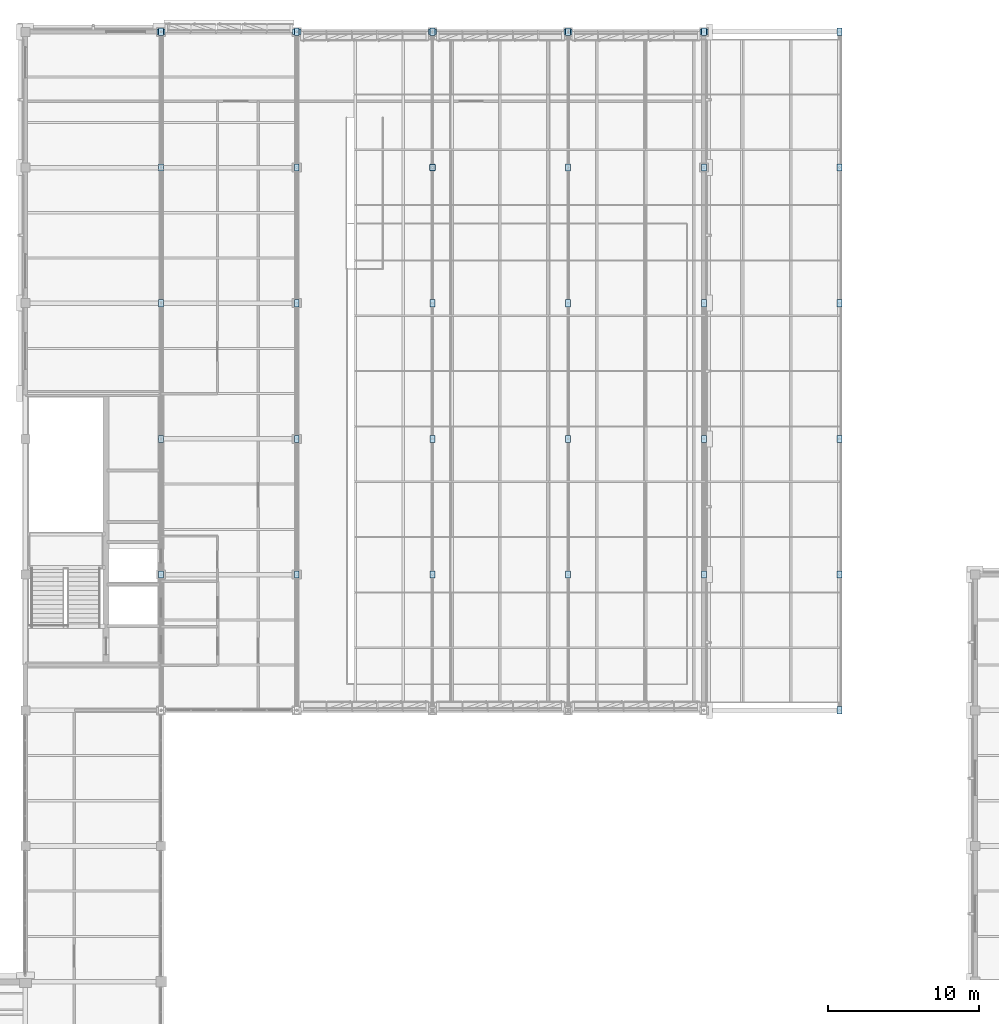
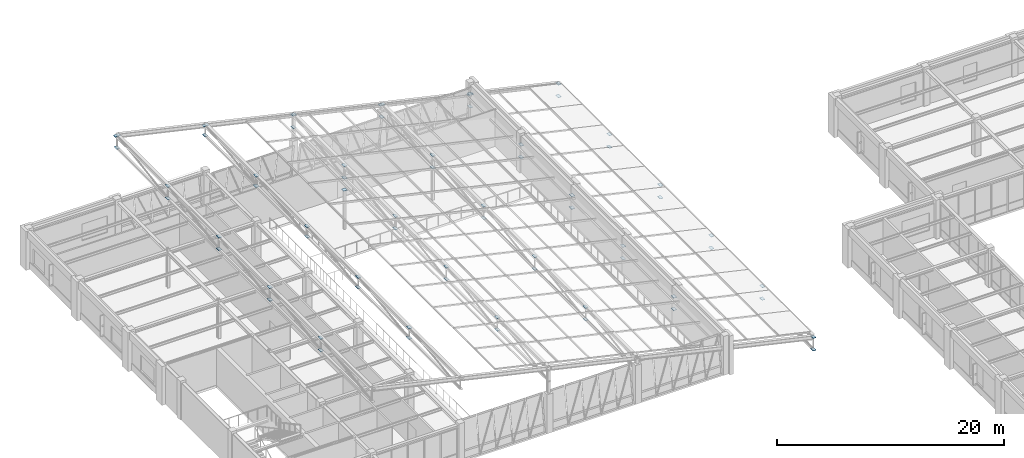
# One storey, part 110 of 130: 65 plates.
"""IFC4 building model written with IfcOpenShell, lengths in metres."""

from ifc_helpers import new_model, si_unit, direction, frame, origin, origin_2d, place, context, subcontext, project, spatial, rectangle, extrude, material, layer, layer_set, type_object, element, save


model = new_model("IFC4")

# Units and contexts
model_context = context("Model", 3, precision=1e-05, world=origin(), true_north=direction((0.0, 1.0)))
body_context = subcontext(model_context, "Body", "Model", "MODEL_VIEW")
ifc_project = project(units=[si_unit("LENGTHUNIT", "METRE"), si_unit("AREAUNIT", "SQUARE_METRE"), si_unit("VOLUMEUNIT", "CUBIC_METRE"), si_unit("PLANEANGLEUNIT", "RADIAN"), si_unit("MASSUNIT", "GRAM", prefix="KILO")], contexts=[model_context])

# Site, building, storey
site_placement = place(None, origin())
site = spatial("IfcSite", under=ifc_project, at=site_placement, CompositionType="ELEMENT")
building_placement = place(site_placement, origin())
building = spatial("IfcBuilding", under=site, at=building_placement, Name="Lykobir Media Centre", CompositionType="ELEMENT")
storey_placement = place(building_placement, frame((0.0, 0.0, 19.199951171875)))
storey = spatial("IfcBuildingStorey", under=building, at=storey_placement, Name="L04", CompositionType="ELEMENT", Elevation=19.199951171875)

# Plates
ifc_material = material(Name="Steel S355", Category="steel")
ifc_layer_1 = layer(ifc_material, 0.02197265625, Name="Steel S355")
ifc_layer_set_1 = layer_set([ifc_layer_1], Name="Steel S355")
plate_type_1 = type_object("IfcPlateType", Name="CP-360", PredefinedType="SHEET", material=ifc_layer_set_1)
plate_placement = place(storey_placement, frame((54.0, 99.0, 4.199951171875), z_axis=(0.0, 0.0, 1.0), x_axis=(1.0, 0.0, 0.0)))
element("IfcPlate", 1, at=plate_placement, inside=storey, type_object=plate_type_1, Name="Structural plate PLT-L04-0540-0990-0234", PredefinedType="SHEET", context=body_context, shape_type="SweptSolid", body=[
    extrude(rectangle(XDim=0.3798828125, YDim=0.3798828125, at=origin_2d()), origin(), (0.0, 0.0, 1.0), 0.02197265625),
])
ifc_layer_2 = layer(ifc_material, 0.02392578125, Name="Steel S355")
ifc_layer_set_2 = layer_set([ifc_layer_2], Name="Steel S355")
plate_type_2 = type_object("IfcPlateType", Name="GP-480", PredefinedType="USERDEFINED", material=ifc_layer_set_2)
for number, where, z_axis, x_axis, name in (
    (2, (36.0, 108.0, 9.578125), (0.0, 0.0, 1.0), (0.0, 1.0, 0.0), "Structural plate PLT-L04-0360-1080-0288"),
    (3, (36.0, 72.0, 10.927978515625), (0.0, 0.0, 1.0), (0.0, 1.0, 0.0), "Structural plate PLT-L04-0360-0720-0301"),
    (4, (36.0, 72.0, 9.578125), (0.0, 0.0, 1.0), (0.0, 1.0, 0.0), "Structural plate PLT-L04-0360-0720-0288"),
    (5, (36.0, 81.0, 10.927978515625), (0.0, 0.0, 1.0), (0.0, 1.0, 0.0), "Structural plate PLT-L04-0360-0810-0301"),
    (6, (36.0, 81.0, 9.578125), (0.0, 0.0, 1.0), (0.0, 1.0, 0.0), "Structural plate PLT-L04-0360-0810-0288"),
    (7, (36.0, 90.0, 10.927978515625), (0.0, 0.0, 1.0), (0.0, 1.0, 0.0), "Structural plate PLT-L04-0360-0900-0301"),
    (8, (36.0, 90.0, 9.578125), (0.0, 0.0, 1.0), (0.0, 1.0, 0.0), "Structural plate PLT-L04-0360-0900-0288"),
    (9, (36.0, 99.0, 10.927978515625), (0.0, 0.0, 1.0), (0.0, 1.0, 0.0), "Structural plate PLT-L04-0360-0990-0301"),
    (10, (36.0, 99.0, 9.578125), (0.0, 0.0, 1.0), (0.0, 1.0, 0.0), "Structural plate PLT-L04-0360-0990-0288"),
    (11, (45.0, 108.0, 7.76806640625), (0.0, 0.0, 1.0), (0.0, 1.0, 0.0), "Structural plate PLT-L04-0450-1080-0270"),
    (12, (45.0, 72.0, 8.88818359375), (0.0, 0.0, 1.0), (0.0, 1.0, 0.0), "Structural plate PLT-L04-0450-0720-0281"),
    (13, (45.0, 72.0, 7.76806640625), (0.0, 0.0, 1.0), (0.0, 1.0, 0.0), "Structural plate PLT-L04-0450-0720-0270"),
    (14, (45.0, 81.0, 8.88818359375), (0.0, 0.0, 1.0), (0.0, 1.0, 0.0), "Structural plate PLT-L04-0450-0810-0281"),
    (15, (45.0, 81.0, 7.76806640625), (0.0, 0.0, 1.0), (0.0, 1.0, 0.0), "Structural plate PLT-L04-0450-0810-0270"),
    (16, (45.0, 90.0, 8.88818359375), (0.0, 0.0, 1.0), (0.0, 1.0, 0.0), "Structural plate PLT-L04-0450-0900-0281"),
    (17, (45.0, 90.0, 7.76806640625), (0.0, 0.0, 1.0), (0.0, 1.0, 0.0), "Structural plate PLT-L04-0450-0900-0270"),
    (18, (45.0, 99.0, 8.88818359375), (0.0, 0.0, 1.0), (0.0, 1.0, 0.0), "Structural plate PLT-L04-0450-0990-0281"),
    (19, (45.0, 99.0, 7.76806640625), (0.0, 0.0, 1.0), (0.0, 1.0, 0.0), "Structural plate PLT-L04-0450-0990-0270"),
    (20, (54.0, 108.0, 5.498046875), (0.0, 0.0, 1.0), (0.0, 1.0, 0.0), "Structural plate PLT-L04-0540-1080-0247"),
    (21, (54.0, 72.0, 6.84814453125), (0.0, 0.0, 1.0), (0.0, 1.0, 0.0), "Structural plate PLT-L04-0540-0720-0261"),
    (22, (54.0, 72.0, 5.498046875), (0.0, 0.0, 1.0), (0.0, 1.0, 0.0), "Structural plate PLT-L04-0540-0720-0247"),
    (23, (54.0, 81.0, 6.84814453125), (0.0, 0.0, 1.0), (0.0, 1.0, 0.0), "Structural plate PLT-L04-0540-0810-0261"),
    (24, (54.0, 81.0, 5.498046875), (0.0, 0.0, 1.0), (0.0, 1.0, 0.0), "Structural plate PLT-L04-0540-0810-0247"),
    (25, (54.0, 90.0, 6.84814453125), (0.0, 0.0, 1.0), (0.0, 1.0, 0.0), "Structural plate PLT-L04-0540-0900-0261"),
    (26, (54.0, 90.0, 5.498046875), (0.0, 0.0, 1.0), (0.0, 1.0, 0.0), "Structural plate PLT-L04-0540-0900-0247"),
    (27, (54.0, 99.0, 6.84814453125), (0.0, 0.0, 1.0), (0.0, 1.0, 0.0), "Structural plate PLT-L04-0540-0990-0261"),
    (28, (54.0, 99.0, 5.498046875), (0.0, 0.0, 1.0), (0.0, 1.0, 0.0), "Structural plate PLT-L04-0540-0990-0247"),
    (29, (54.0, 108.0, 6.84814453125), (0.0, 0.0, 1.0), (0.0, 1.0, 0.0), "Structural plate PLT-L04-0540-1080-0261"),
    (30, (63.0, 108.0, 3.4580078125), (0.0, 0.0, 1.0), (0.0, 1.0, 0.0), "Structural plate PLT-L04-0630-1080-0227"),
    (31, (63.0, 72.0, 4.80810546875), (0.0, 0.0, 1.0), (0.0, 1.0, 0.0), "Structural plate PLT-L04-0630-0720-0240"),
    (32, (63.0, 72.0, 3.4580078125), (0.0, 0.0, 1.0), (0.0, 1.0, 0.0), "Structural plate PLT-L04-0630-0720-0227"),
    (33, (63.0, 81.0, 4.80810546875), (0.0, 0.0, 1.0), (0.0, 1.0, 0.0), "Structural plate PLT-L04-0630-0810-0240"),
    (34, (63.0, 81.0, 3.4580078125), (0.0, 0.0, 1.0), (0.0, 1.0, 0.0), "Structural plate PLT-L04-0630-0810-0227"),
    (35, (63.0, 90.0, 4.80810546875), (0.0, 0.0, 1.0), (0.0, 1.0, 0.0), "Structural plate PLT-L04-0630-0900-0240"),
    (36, (63.0, 90.0, 3.4580078125), (0.0, 0.0, 1.0), (0.0, 1.0, 0.0), "Structural plate PLT-L04-0630-0900-0227"),
    (37, (63.0, 99.0, 4.80810546875), (0.0, 0.0, 1.0), (0.0, 1.0, 0.0), "Structural plate PLT-L04-0630-0990-0240"),
    (38, (63.0, 99.0, 3.4580078125), (0.0, 0.0, 1.0), (0.0, 1.0, 0.0), "Structural plate PLT-L04-0630-0990-0227"),
    (39, (72.0, 108.0, 1.41796875), (0.0, 0.0, 1.0), (0.0, 1.0, 0.0), "Structural plate PLT-L04-0720-1080-0206"),
    (40, (72.0, 72.0, 2.76806640625), (0.0, 0.0, 1.0), (0.0, 1.0, 0.0), "Structural plate PLT-L04-0720-0720-0220"),
    (41, (72.0, 72.0, 1.41796875), (0.0, 0.0, 1.0), (0.0, 1.0, 0.0), "Structural plate PLT-L04-0720-0720-0206"),
    (42, (72.0, 81.0, 2.76806640625), (0.0, 0.0, 1.0), (0.0, 1.0, 0.0), "Structural plate PLT-L04-0720-0810-0220"),
    (43, (72.0, 81.0, 1.41796875), (0.0, 0.0, 1.0), (0.0, 1.0, 0.0), "Structural plate PLT-L04-0720-0810-0206"),
    (44, (72.0, 90.0, 2.76806640625), (0.0, 0.0, 1.0), (0.0, 1.0, 0.0), "Structural plate PLT-L04-0720-0900-0220"),
    (45, (72.0, 90.0, 1.41796875), (0.0, 0.0, 1.0), (0.0, 1.0, 0.0), "Structural plate PLT-L04-0720-0900-0206"),
    (46, (72.0, 99.0, 2.76806640625), (0.0, 0.0, 1.0), (0.0, 1.0, 0.0), "Structural plate PLT-L04-0720-0990-0220"),
    (47, (72.0, 99.0, 1.41796875), (0.0, 0.0, 1.0), (0.0, 1.0, 0.0), "Structural plate PLT-L04-0720-0990-0206"),
    (48, (72.0, 108.0, 2.76806640625), (0.0, 0.0, 1.0), (0.0, 1.0, 0.0), "Structural plate PLT-L04-0720-1080-0220"),
    (49, (81.0, 63.0, -0.621826171875), (0.0, 0.0, 1.0), (0.0, 1.0, 0.0), "Structural plate PLT-L04-0810-0630-0186"),
    (50, (81.0, 108.0, -0.621826171875), (0.0, 0.0, 1.0), (0.0, 1.0, 0.0), "Structural plate PLT-L04-0810-1080-0186"),
    (51, (81.0, 63.0, 0.72802734375), (0.0, 0.0, 1.0), (0.0, 1.0, 0.0), "Structural plate PLT-L04-0810-0630-0199"),
    (52, (81.0, 72.0, 0.72802734375), (0.0, 0.0, 1.0), (0.0, 1.0, 0.0), "Structural plate PLT-L04-0810-0720-0199"),
    (53, (81.0, 72.0, -0.621826171875), (0.0, 0.0, 1.0), (0.0, 1.0, 0.0), "Structural plate PLT-L04-0810-0720-0186"),
    (54, (81.0, 81.0, 0.72802734375), (0.0, 0.0, 1.0), (0.0, 1.0, 0.0), "Structural plate PLT-L04-0810-0810-0199"),
    (55, (81.0, 81.0, -0.621826171875), (0.0, 0.0, 1.0), (0.0, 1.0, 0.0), "Structural plate PLT-L04-0810-0810-0186"),
    (56, (81.0, 90.0, 0.72802734375), (0.0, 0.0, 1.0), (0.0, 1.0, 0.0), "Structural plate PLT-L04-0810-0900-0199"),
    (57, (81.0, 90.0, -0.621826171875), (0.0, 0.0, 1.0), (0.0, 1.0, 0.0), "Structural plate PLT-L04-0810-0900-0186"),
    (58, (81.0, 99.0, 0.72802734375), (0.0, 0.0, 1.0), (0.0, 1.0, 0.0), "Structural plate PLT-L04-0810-0990-0199"),
    (59, (81.0, 99.0, -0.621826171875), (0.0, 0.0, 1.0), (0.0, 1.0, 0.0), "Structural plate PLT-L04-0810-0990-0186"),
    (60, (81.0, 108.0, 0.72802734375), (0.0, 0.0, 1.0), (0.0, 1.0, 0.0), "Structural plate PLT-L04-0810-1080-0199"),
):
    element("IfcPlate", number, at=place(storey_placement, frame(where, z_axis=z_axis, x_axis=x_axis)), inside=storey, type_object=plate_type_2, Name=name, ObjectType="GUSSET_PLATE", PredefinedType="USERDEFINED", context=body_context, shape_type="SweptSolid", body=[
        extrude(rectangle(XDim=0.47998046875, YDim=0.320068359375, at=origin_2d()), origin(), (0.0, 0.0, 1.0), 0.02392578125),
    ])
ifc_layer_3 = layer(ifc_material, 0.028076171875, Name="Steel S355")
ifc_layer_set_3 = layer_set([ifc_layer_3], Name="Steel S355")
plate_type_3 = type_object("IfcPlateType", Name="GP-540", PredefinedType="USERDEFINED", material=ifc_layer_set_3)
for number, where, z_axis, x_axis, name in (
    (61, (36.0, 108.0, 10.88623046875), (0.0, 0.0, 1.0), (1.0, 0.0, 0.0), "Structural plate PLT-L04-0360-1080-0301"),
    (62, (45.0, 108.0, 8.84619140625), (0.0, 0.0, 1.0), (1.0, 0.0, 0.0), "Structural plate PLT-L04-0450-1080-0281"),
    (63, (54.0, 108.0, 6.80615234375), (0.0, 0.0, 1.0), (1.0, 0.0, 0.0), "Structural plate PLT-L04-0540-1080-0260"),
    (64, (63.0, 108.0, 4.76611328125), (0.0, 0.0, 1.0), (1.0, 0.0, 0.0), "Structural plate PLT-L04-0630-1080-0240"),
    (65, (72.0, 108.0, 2.72607421875), (0.0, 0.0, 1.0), (1.0, 0.0, 0.0), "Structural plate PLT-L04-0720-1080-0219"),
):
    element("IfcPlate", number, at=place(storey_placement, frame(where, z_axis=z_axis, x_axis=x_axis)), inside=storey, type_object=plate_type_3, Name=name, ObjectType="GUSSET_PLATE", PredefinedType="USERDEFINED", context=body_context, shape_type="SweptSolid", body=[
        extrude(rectangle(XDim=0.5400390625, YDim=0.360107421875, at=origin_2d()), origin(), (0.0, 0.0, 1.0), 0.028076171875),
    ])

save(model, "model.ifc")
